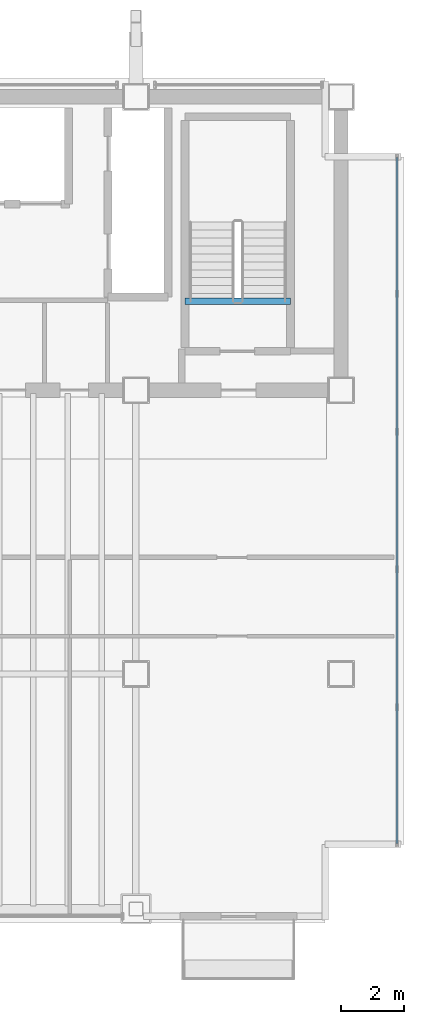
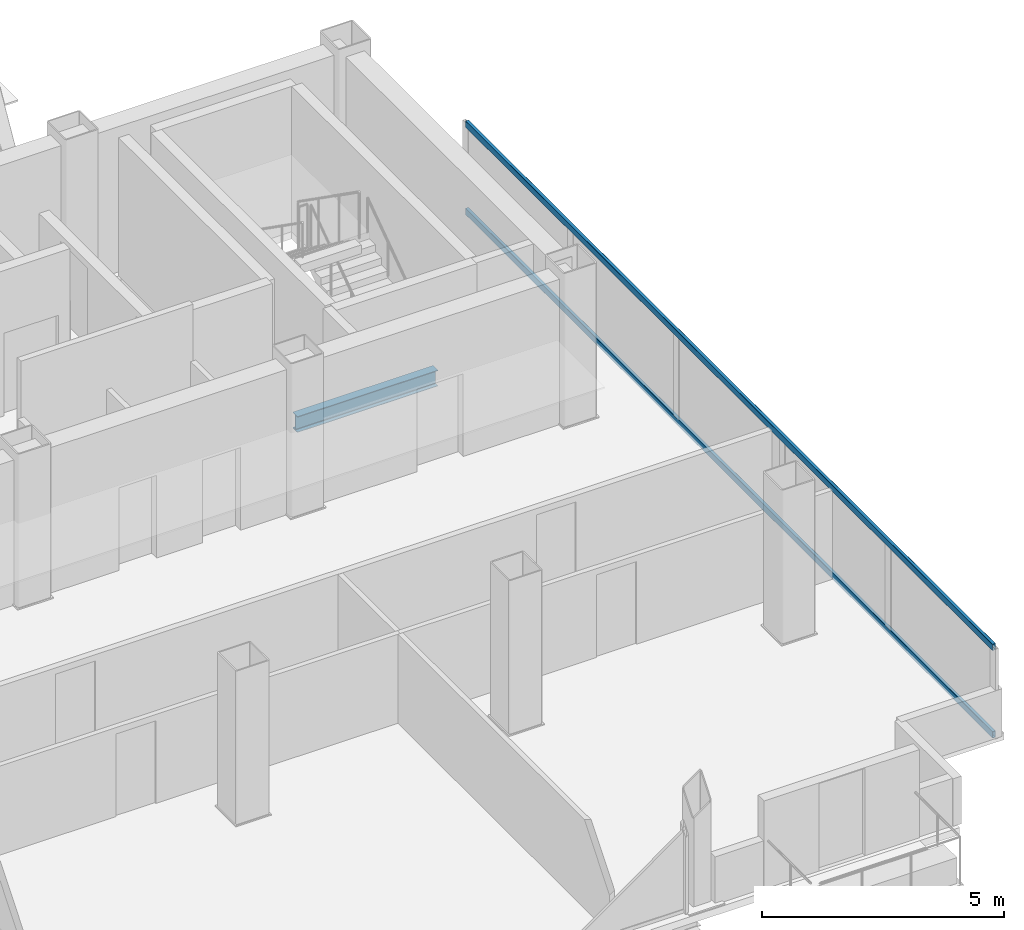
# One storey, part 11 of 16: 2 members, 1 beam, 1 element without a shape of its own.
"""IFC4 building model written with IfcOpenShell, lengths in metres."""

import ifcopenshell
import ifcopenshell.guid

model = None  # the IFC model being written
_history = None  # IfcOwnerHistory: only IFC2X3 demands one
_inside = {}  # id of a spatial element -> (the spatial element, [elements in it])
_under = {}  # id of a project, library or spatial element -> (it, [spatial elements below it])
_declared = {}  # id of a project -> (the project, [libraries it declares])
_typed = {}  # id of a type object -> (the type object, [elements of that type])
_made_of = {}  # id of a material, layer set ... -> (it, [elements and type objects made of it])


def new_model(schema):
    """Start an empty IFC model of exactly this schema.

    Asked for "IFC4X3", IfcOpenShell would pick the latest addendum, in which some entities
    have other attributes; the version numbers below select the first issue.
    IFC2X3 requires an IfcOwnerHistory on every rooted entity: one is made here for all.
    """
    global model, _history
    if schema == "IFC4X3":
        model = ifcopenshell.file(schema_version=(4, 3, 0, 0))
    else:
        model = ifcopenshell.file(schema=schema)
    _inside.clear()
    _under.clear()
    _declared.clear()
    _typed.clear()
    _made_of.clear()
    _history = None
    if model.schema == "IFC2X3":
        org = make("IfcOrganization", Name="unknown")
        user = make(
            "IfcPersonAndOrganization",
            ThePerson=make("IfcPerson", FamilyName="unknown"),
            TheOrganization=org,
        )
        app = make(
            "IfcApplication",
            ApplicationDeveloper=org,
            Version="unknown",
            ApplicationFullName="unknown",
            ApplicationIdentifier="unknown",
        )
        _history = make(
            "IfcOwnerHistory",
            OwningUser=user,
            OwningApplication=app,
            ChangeAction="ADDED",
            CreationDate=0,
        )
    return model


def make(cls, **values):
    """One entity of the class cls with the attributes given. An attribute that is None is left unset."""
    return model.create_entity(
        cls, **{name: value for name, value in values.items() if value is not None}
    )


def rooted(cls, **values):
    """An entity with a GlobalId (a new one), such as an element, a storey or a relation."""
    return make(cls, GlobalId=ifcopenshell.guid.new(), OwnerHistory=_history, **values)


def si_unit(unit_type, name, prefix=None):
    """IfcSIUnit, for example si_unit("LENGTHUNIT", "METRE", prefix="MILLI")."""
    return make("IfcSIUnit", UnitType=unit_type, Prefix=prefix, Name=name)


def assignment(units):
    """IfcUnitAssignment: the units of a project."""
    return None if units is None else make("IfcUnitAssignment", Units=units)


def point(xyz):
    """IfcCartesianPoint."""
    return None if xyz is None else make("IfcCartesianPoint", Coordinates=xyz)


def direction(xyz):
    """IfcDirection."""
    return None if xyz is None else make("IfcDirection", DirectionRatios=xyz)


def frame(location, z_axis=None, x_axis=None):
    """IfcAxis2Placement3D, a coordinate frame: its origin and axes. An axis left out is left unset."""
    return make(
        "IfcAxis2Placement3D",
        Location=point(location),
        Axis=direction(z_axis),
        RefDirection=direction(x_axis),
    )


def frame_2d(location, x_axis=None):
    """IfcAxis2Placement2D, a coordinate frame in the plane: its origin and x axis."""
    return make(
        "IfcAxis2Placement2D", Location=point(location), RefDirection=direction(x_axis)
    )


def origin():
    """The frame at (0, 0, 0) with its axes left unset."""
    return frame((0.0, 0.0, 0.0))


def origin_2d():
    """The frame at (0, 0) in the plane with its x axis left unset."""
    return frame_2d((0.0, 0.0))


def place(relative_to, where):
    """IfcLocalPlacement: puts the frame where relative to a parent placement (None: the world)."""
    return make(
        "IfcLocalPlacement", PlacementRelTo=relative_to, RelativePlacement=where
    )


def context(
    kind, dimensions, precision=None, world=None, true_north=None, identifier=None
):
    """IfcGeometricRepresentationContext, for example the 3D "Model" context."""
    return make(
        "IfcGeometricRepresentationContext",
        ContextIdentifier=identifier,
        ContextType=kind,
        CoordinateSpaceDimension=dimensions,
        Precision=precision,
        WorldCoordinateSystem=world,
        TrueNorth=true_north,
    )


def subcontext(parent, identifier, kind, view, scale=None):
    """IfcGeometricRepresentationSubContext, for example "Body" below "Model"."""
    return make(
        "IfcGeometricRepresentationSubContext",
        ContextIdentifier=identifier,
        ContextType=kind,
        ParentContext=parent,
        TargetScale=scale,
        TargetView=view,
    )


def project(units=None, contexts=None):
    """IfcProject with its units and contexts."""
    return rooted(
        "IfcProject",
        Name="project",
        RepresentationContexts=contexts,
        UnitsInContext=assignment(units),
    )


def spatial(cls, under=None, at=None, **own):
    """A site, building, storey or space (cls), placed at a placement, below another one or the project."""
    s = rooted(cls, ObjectPlacement=at, **own)
    if under is not None:
        _under.setdefault(under.id(), (under, []))[1].append(s)
    return s


def profile(cls, at=None, kind="AREA", **sizes):
    """A parametric profile (cls). Its sizes go by their IFC names, for example OverallWidth=200.0."""
    return make(cls, ProfileType=kind, Position=at, **sizes)


def hollow_rectangle(**sizes):
    """IfcRectangleHollowProfileDef."""
    return profile("IfcRectangleHollowProfileDef", **sizes)


def i_section(**sizes):
    """IfcIShapeProfileDef."""
    return profile("IfcIShapeProfileDef", **sizes)


def extrude(swept, where, along, depth):
    """IfcExtrudedAreaSolid: the profile swept, set in the frame where, extruded along a direction by depth."""
    return make(
        "IfcExtrudedAreaSolid",
        SweptArea=swept,
        Position=where,
        ExtrudedDirection=direction(along),
        Depth=depth,
    )


def shape(context_of_items, identifier, shape_type, items):
    """IfcShapeRepresentation: the items that make up one representation, for example the "Body"."""
    return make(
        "IfcShapeRepresentation",
        ContextOfItems=context_of_items,
        RepresentationIdentifier=identifier,
        RepresentationType=shape_type,
        Items=items,
    )


def material(Name=None, Category=None):
    """IfcMaterial."""
    return make("IfcMaterial", Name=Name, Category=Category)


def material_profile(
    of_material, cross_section, Name=None, Category=None, Priority=None
):
    """IfcMaterialProfile: a cross section and its material."""
    return make(
        "IfcMaterialProfile",
        Name=Name,
        Material=of_material,
        Profile=cross_section,
        Priority=Priority,
        Category=Category,
    )


def profile_set(profiles, Name=None, composite=None):
    """IfcMaterialProfileSet."""
    return make(
        "IfcMaterialProfileSet",
        Name=Name,
        MaterialProfiles=profiles,
        CompositeProfile=composite,
    )


def made_of(thing, what):
    """Note that an element or type object is made of a material, layer set ...; save() writes the relation."""
    if what is not None:
        _made_of.setdefault(what.id(), (what, []))[1].append(thing)
    return thing


def type_object(cls, material=None, **own):
    """A type object (cls), such as IfcWallType, which elements share."""
    return made_of(rooted(cls, **own), material)


def element(
    cls,
    number,
    at=None,
    inside=None,
    cuts=None,
    type_object=None,
    material=None,
    context=None,
    identifier="Body",
    shape_type=None,
    held_by="IfcProductDefinitionShape",
    body=None,
    shapes=None,
    **own,
):
    """One element of the class cls, such as IfcWall. Its Tag is "e" and its number.

    at: its placement. inside: the storey or other place that contains it. cuts: it is an
    opening in that element (IfcRelVoidsElement). A single representation is given by context,
    identifier, shape_type and body (its items); several are given by shapes. held_by: the class
    of the entity that holds the representations. save() writes the other relations.
    """
    e = rooted(cls, Tag="e%d" % number, ObjectPlacement=at, **own)
    if body is not None:
        shapes = [shape(context, identifier, shape_type, body)]
    if shapes is not None:
        e.Representation = make(held_by, Representations=shapes)
    if inside is not None:
        _inside.setdefault(inside.id(), (inside, []))[1].append(e)
    if cuts is not None:
        rooted(
            "IfcRelVoidsElement", RelatingBuildingElement=cuts, RelatedOpeningElement=e
        )
    if type_object is not None:
        _typed.setdefault(type_object.id(), (type_object, []))[1].append(e)
    return made_of(e, material)


def aggregate(whole, parts):
    """IfcRelAggregates: a whole, such as a stair, and the parts it consists of."""
    return rooted("IfcRelAggregates", RelatingObject=whole, RelatedObjects=parts)


def save(model, path):
    """Write the relations noted so far, then the file.

    IfcRelAggregates (storeys below a building ...), IfcRelContainedInSpatialStructure (elements
    in a storey), IfcRelDefinesByType, IfcRelAssociatesMaterial and IfcRelDeclares: one each for
    every whole, place, type object, material and project.
    """
    for whole, parts in _under.values():
        aggregate(whole, parts)
    for where, things in _inside.values():
        rooted(
            "IfcRelContainedInSpatialStructure",
            RelatedElements=things,
            RelatingStructure=where,
        )
    for kind, things in _typed.values():
        rooted("IfcRelDefinesByType", RelatedObjects=things, RelatingType=kind)
    for what, things in _made_of.values():
        rooted("IfcRelAssociatesMaterial", RelatedObjects=things, RelatingMaterial=what)
    for by, libraries in _declared.values():
        rooted("IfcRelDeclares", RelatingContext=by, RelatedDefinitions=libraries)
    model.write(path)


model = new_model("IFC4")

# Units and contexts
model_context = context("Model", 3, precision=1e-05, world=origin(), true_north=direction((0.0, 1.0)))
body_context = subcontext(model_context, "Body", "Model", "MODEL_VIEW")
ifc_project = project(units=[si_unit("LENGTHUNIT", "METRE"), si_unit("AREAUNIT", "SQUARE_METRE"), si_unit("VOLUMEUNIT", "CUBIC_METRE"), si_unit("PLANEANGLEUNIT", "RADIAN"), si_unit("MASSUNIT", "GRAM", prefix="KILO")], contexts=[model_context])

# Site, building, storey
site_placement = place(None, origin())
site = spatial("IfcSite", under=ifc_project, at=site_placement, CompositionType="ELEMENT")
building_placement = place(site_placement, origin())
building = spatial("IfcBuilding", under=site, at=building_placement, Name="Noeulbin Bourse Tower", CompositionType="ELEMENT")
storey_placement = place(building_placement, frame((0.0, 0.0, 254.0)))
storey = spatial("IfcBuildingStorey", under=building, at=storey_placement, Name="L63", CompositionType="ELEMENT", Elevation=254.0)

# Beam
ifc_material_1 = material(Name="Steel S355", Category="steel")
ifc_material_profile_1 = material_profile(ifc_material_1, i_section(OverallWidth=0.199951171875, OverallDepth=0.39990234375, WebThickness=0.008056640625, FlangeThickness=0.012939453125, FilletRadius=0.01611328125, at=origin_2d()), Name="H-400x200x8x13", Category="LoadBearing")
ifc_profile_set_1 = profile_set([ifc_material_profile_1], Name="Steel S355")
beam_type = type_object("IfcBeamType", Name="BM-SEC-400", PredefinedType="BEAM", material=ifc_profile_set_1)
beam_placement = place(storey_placement, frame((39.06005859375, 31.820068359375, -0.199951171875), z_axis=(1.0, 0.0, 0.0), x_axis=(0.0, 1.0, 0.0)))
element("IfcBeam", 1, at=beam_placement, inside=storey, type_object=beam_type, Name="Stair Threshold Trimmer Beam ST2-L63", PredefinedType="BEAM", context=body_context, shape_type="SweptSolid", body=[
    extrude(i_section(OverallWidth=0.199951171875, OverallDepth=0.39990234375, WebThickness=0.008056640625, FlangeThickness=0.012939453125, FilletRadius=0.01611328125, at=origin_2d()), origin(), (0.0, 0.0, 1.0), 3.33984375),
])

# Curtain wall, members
ifc_material_2 = material(Name="High-Selectivity Low-Iron Glazing", Category="glass")
curtain_wall_type = type_object("IfcCurtainWallType", Name="CW-SYS-4", PredefinedType="NOTDEFINED", material=ifc_material_2)
curtain_wall_placement = place(storey_placement, origin())
curtain_wall = element("IfcCurtainWall", 2, at=curtain_wall_placement, inside=storey, type_object=curtain_wall_type, Name="Unitised Curtain Wall CW-L63-E", PredefinedType="NOTDEFINED")
ifc_material_3 = material(Name="Anodised Aluminium 6063-T6", Category="aluminium")
ifc_material_profile_2 = material_profile(ifc_material_3, hollow_rectangle(XDim=0.074951171875, YDim=0.159912109375, WallThickness=0.0048828125, InnerFilletRadius=0.00244140625, OuterFilletRadius=0.0048828125, at=origin_2d()), Name="ALU-TRAN-75x160x5", Category="LoadBearing")
ifc_profile_set_2 = profile_set([ifc_material_profile_2], Name="Anodised Aluminium 6063-T6")
member_type = type_object("IfcMemberType", Name="CW-SYS-4-TRN", PredefinedType="USERDEFINED", material=ifc_profile_set_2)
member_1_placement = place(storey_placement, frame((45.780029296875, 14.6298828125, 0.010009765625), z_axis=(0.0, 1.0, 0.0), x_axis=(-1.0, 0.0, 0.0)))
member_1 = element("IfcMember", 3, at=member_1_placement, type_object=member_type, Name="Curtain Wall Transom CW-L63-E-T00", ObjectType="TRANSOM", PredefinedType="USERDEFINED", context=body_context, shape_type="SweptSolid", body=[
    extrude(hollow_rectangle(XDim=0.074951171875, YDim=0.159912109375, WallThickness=0.0048828125, InnerFilletRadius=0.00244140625, OuterFilletRadius=0.0048828125, at=origin_2d()), origin(), (0.0, 0.0, 1.0), 21.740234375),
])
member_2_placement = place(storey_placement, frame((45.780029296875, 14.6298828125, 2.2099609375), z_axis=(0.0, 1.0, 0.0), x_axis=(-1.0, 0.0, 0.0)))
member_2 = element("IfcMember", 4, at=member_2_placement, type_object=member_type, Name="Curtain Wall Transom CW-L63-E-T01", ObjectType="TRANSOM", PredefinedType="USERDEFINED", context=body_context, shape_type="SweptSolid", body=[
    extrude(hollow_rectangle(XDim=0.074951171875, YDim=0.159912109375, WallThickness=0.0048828125, InnerFilletRadius=0.00244140625, OuterFilletRadius=0.0048828125, at=origin_2d()), origin(), (0.0, 0.0, 1.0), 21.740234375),
])
aggregate(curtain_wall, [member_1, member_2])

save(model, "model.ifc")
